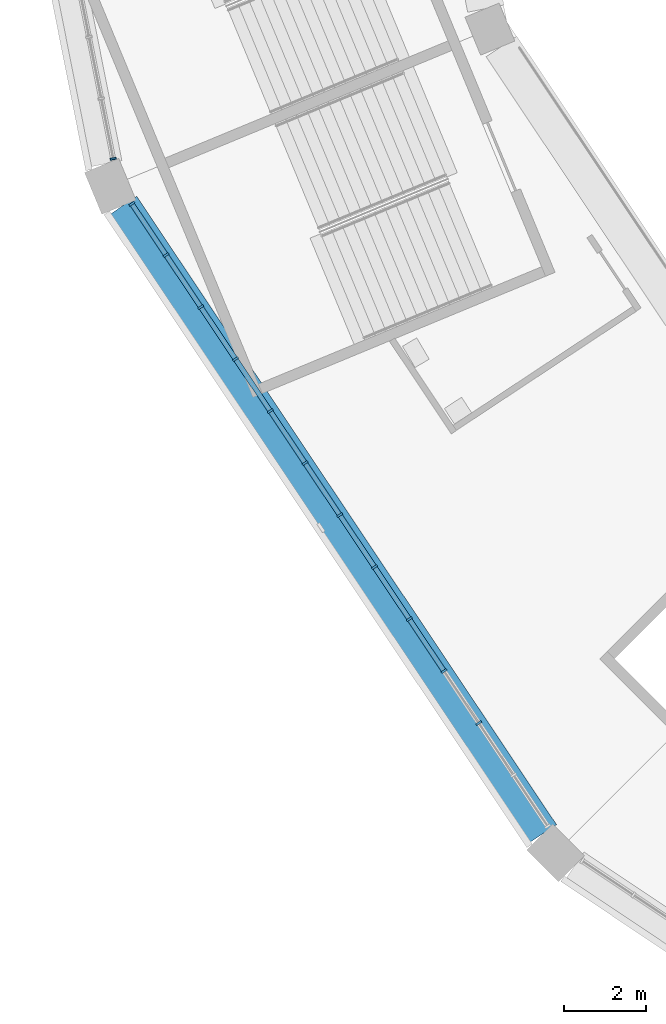
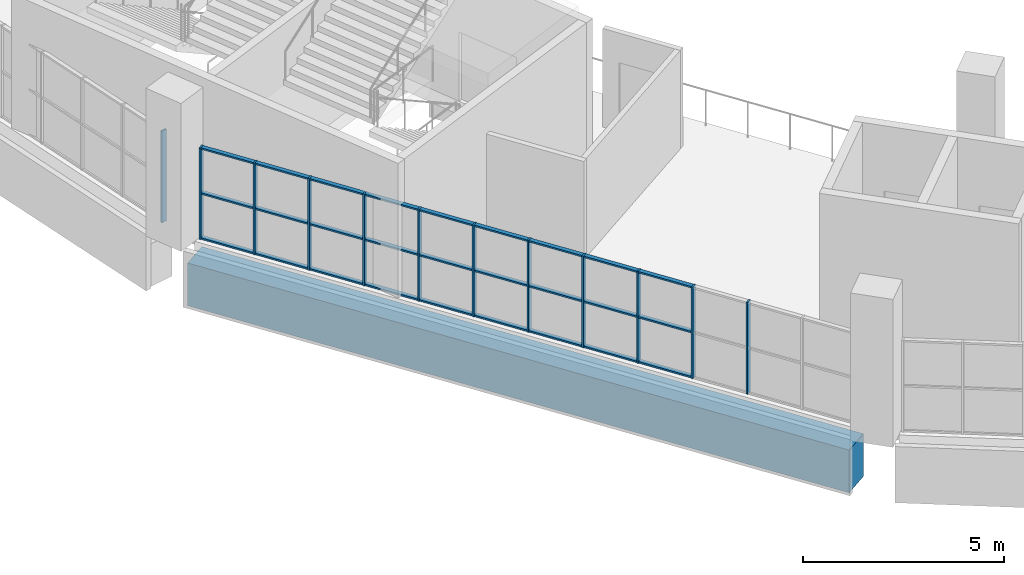
# One storey, part 3 of 177: 39 members, 1 beam, 2 elements without a shape of their own.
"""IFC4 building model written with IfcOpenShell, lengths in metres."""

from ifc_helpers import new_model, si_unit, direction, frame, origin, origin_2d, place, context, subcontext, project, spatial, rectangle, extrude, material, material_profile, profile_set, type_object, element, aggregate, save


model = new_model("IFC4")

# Units and contexts
model_context = context("Model", 3, precision=1e-05, world=origin(), true_north=direction((0.0, 1.0)))
body_context = subcontext(model_context, "Body", "Model", "MODEL_VIEW")
ifc_project = project(units=[si_unit("LENGTHUNIT", "METRE"), si_unit("AREAUNIT", "SQUARE_METRE"), si_unit("VOLUMEUNIT", "CUBIC_METRE"), si_unit("PLANEANGLEUNIT", "RADIAN"), si_unit("MASSUNIT", "GRAM", prefix="KILO")], contexts=[model_context])

# Site, building, storey
site_placement = place(None, origin())
site = spatial("IfcSite", under=ifc_project, at=site_placement, CompositionType="ELEMENT")
building_placement = place(site_placement, origin())
building = spatial("IfcBuilding", under=site, at=building_placement, Name="Ogive Plaza Stadium", CompositionType="ELEMENT")
storey_placement = place(building_placement, frame((0.0, 0.0, 18.0)))
storey = spatial("IfcBuildingStorey", under=building, at=storey_placement, Name="L04", CompositionType="ELEMENT", Elevation=18.0)

# Curtain wall, members
ifc_material_1 = material(Name="Bronze-anodised aluminium with laminated glass", Category="aluminium")
curtain_wall_type = type_object("IfcCurtainWallType", Name="Lancet curtain wall", PredefinedType="NOTDEFINED", material=ifc_material_1)
curtain_wall_1_placement = place(storey_placement, origin())
curtain_wall_1 = element("IfcCurtainWall", 1, at=curtain_wall_1_placement, inside=storey, type_object=curtain_wall_type, Name="CURTAIN WALL B19 L04", PredefinedType="NOTDEFINED")
ifc_material_2 = material(Name="Bronze-anodised aluminium", Category="aluminium")
ifc_material_profile_1 = material_profile(ifc_material_2, rectangle(XDim=0.14990234375, YDim=0.050048828125, at=origin_2d()), Name="AL 150x50")
ifc_profile_set_1 = profile_set([ifc_material_profile_1], Name="Bronze-anodised aluminium")
member_type_1 = type_object("IfcMemberType", Name="Curtain wall mullion 50x150", PredefinedType="MULLION", material=ifc_profile_set_1)
member_1_placement = place(storey_placement, frame((-71.225341796875, -84.69677734375, 0.0), z_axis=(0.0, 0.0, 1.0), x_axis=(-0.831469612303, -0.55557023302, 0.0)))
member_1 = element("IfcMember", 2, at=member_1_placement, type_object=member_type_1, Name="CW-B19-L04 mullion 3", PredefinedType="MULLION", context=body_context, shape_type="SweptSolid", body=[
    extrude(rectangle(XDim=0.14990234375, YDim=0.050048828125, at=origin_2d()), origin(), (0.0, 0.0, 1.0), 2.7900390625),
])
member_2_placement = place(storey_placement, frame((-72.071044921875, -83.430908203125, 0.0), z_axis=(0.0, 0.0, 1.0), x_axis=(-0.831469612303, -0.55557023302, 0.0)))
member_2 = element("IfcMember", 3, at=member_2_placement, type_object=member_type_1, Name="CW-B19-L04 mullion 4", PredefinedType="MULLION", context=body_context, shape_type="SweptSolid", body=[
    extrude(rectangle(XDim=0.14990234375, YDim=0.050048828125, at=origin_2d()), origin(), (0.0, 0.0, 1.0), 2.7900390625),
])
member_3_placement = place(storey_placement, frame((-72.916748046875, -82.165283203125, 0.0), z_axis=(0.0, 0.0, 1.0), x_axis=(-0.831469612303, -0.55557023302, 0.0)))
member_3 = element("IfcMember", 4, at=member_3_placement, type_object=member_type_1, Name="CW-B19-L04 mullion 5", PredefinedType="MULLION", context=body_context, shape_type="SweptSolid", body=[
    extrude(rectangle(XDim=0.14990234375, YDim=0.050048828125, at=origin_2d()), origin(), (0.0, 0.0, 1.0), 2.7900390625),
])
member_4_placement = place(storey_placement, frame((-73.7626953125, -80.8994140625, 0.0), z_axis=(0.0, 0.0, 1.0), x_axis=(-0.831469612303, -0.55557023302, 0.0)))
member_4 = element("IfcMember", 5, at=member_4_placement, type_object=member_type_1, Name="CW-B19-L04 mullion 6", PredefinedType="MULLION", context=body_context, shape_type="SweptSolid", body=[
    extrude(rectangle(XDim=0.14990234375, YDim=0.050048828125, at=origin_2d()), origin(), (0.0, 0.0, 1.0), 2.7900390625),
])
member_5_placement = place(storey_placement, frame((-74.6083984375, -79.633544921875, 0.0), z_axis=(0.0, 0.0, 1.0), x_axis=(-0.831469612303, -0.55557023302, 0.0)))
member_5 = element("IfcMember", 6, at=member_5_placement, type_object=member_type_1, Name="CW-B19-L04 mullion 7", PredefinedType="MULLION", context=body_context, shape_type="SweptSolid", body=[
    extrude(rectangle(XDim=0.14990234375, YDim=0.050048828125, at=origin_2d()), origin(), (0.0, 0.0, 1.0), 2.7900390625),
])
member_6_placement = place(storey_placement, frame((-75.4541015625, -78.367919921875, 0.0), z_axis=(0.0, 0.0, 1.0), x_axis=(-0.831469612303, -0.55557023302, 0.0)))
member_6 = element("IfcMember", 7, at=member_6_placement, type_object=member_type_1, Name="CW-B19-L04 mullion 8", PredefinedType="MULLION", context=body_context, shape_type="SweptSolid", body=[
    extrude(rectangle(XDim=0.14990234375, YDim=0.050048828125, at=origin_2d()), origin(), (0.0, 0.0, 1.0), 2.7900390625),
])
member_7_placement = place(storey_placement, frame((-76.2998046875, -77.10205078125, 0.0), z_axis=(0.0, 0.0, 1.0), x_axis=(-0.831469612303, -0.55557023302, 0.0)))
member_7 = element("IfcMember", 8, at=member_7_placement, type_object=member_type_1, Name="CW-B19-L04 mullion 9", PredefinedType="MULLION", context=body_context, shape_type="SweptSolid", body=[
    extrude(rectangle(XDim=0.14990234375, YDim=0.050048828125, at=origin_2d()), origin(), (0.0, 0.0, 1.0), 2.7900390625),
])
member_8_placement = place(storey_placement, frame((-77.145751953125, -75.836181640625, 0.0), z_axis=(0.0, 0.0, 1.0), x_axis=(-0.831469612303, -0.55557023302, 0.0)))
member_8 = element("IfcMember", 9, at=member_8_placement, type_object=member_type_1, Name="CW-B19-L04 mullion 10", PredefinedType="MULLION", context=body_context, shape_type="SweptSolid", body=[
    extrude(rectangle(XDim=0.14990234375, YDim=0.050048828125, at=origin_2d()), origin(), (0.0, 0.0, 1.0), 2.7900390625),
])
member_9_placement = place(storey_placement, frame((-77.991455078125, -74.570556640625, 0.0), z_axis=(0.0, 0.0, 1.0), x_axis=(-0.831469612303, -0.55557023302, 0.0)))
member_9 = element("IfcMember", 10, at=member_9_placement, type_object=member_type_1, Name="CW-B19-L04 mullion 11", PredefinedType="MULLION", context=body_context, shape_type="SweptSolid", body=[
    extrude(rectangle(XDim=0.14990234375, YDim=0.050048828125, at=origin_2d()), origin(), (0.0, 0.0, 1.0), 2.7900390625),
])
member_10_placement = place(storey_placement, frame((-78.837158203125, -73.3046875, 0.0), z_axis=(0.0, 0.0, 1.0), x_axis=(-0.831469612303, -0.55557023302, 0.0)))
member_10 = element("IfcMember", 11, at=member_10_placement, type_object=member_type_1, Name="CW-B19-L04 mullion 12", PredefinedType="MULLION", context=body_context, shape_type="SweptSolid", body=[
    extrude(rectangle(XDim=0.14990234375, YDim=0.050048828125, at=origin_2d()), origin(), (0.0, 0.0, 1.0), 2.7900390625),
])
member_11_placement = place(storey_placement, frame((-79.669189453125, -72.059814453125, 0.0), z_axis=(0.0, 0.0, 1.0), x_axis=(-0.831469612303, -0.55557023302, 0.0)))
member_11 = element("IfcMember", 12, at=member_11_placement, type_object=member_type_1, Name="CW-B19-L04 mullion 13", PredefinedType="MULLION", context=body_context, shape_type="SweptSolid", body=[
    extrude(rectangle(XDim=0.14990234375, YDim=0.050048828125, at=origin_2d()), origin(), (0.0, 0.0, 1.0), 2.7900390625),
])

# Curtain wall, member
curtain_wall_2_placement = place(storey_placement, origin())
curtain_wall_2 = element("IfcCurtainWall", 13, at=curtain_wall_2_placement, inside=storey, type_object=curtain_wall_type, Name="CURTAIN WALL B20 L04", PredefinedType="NOTDEFINED")
member_12_placement = place(storey_placement, frame((-80.123779296875, -70.962158203125, 0.0), z_axis=(0.0, 0.0, 1.0), x_axis=(-0.9807852804, -0.195090322033, 0.0)))
member_12 = element("IfcMember", 14, at=member_12_placement, type_object=member_type_1, Name="CW-B20-L04 mullion 1", PredefinedType="MULLION", context=body_context, shape_type="SweptSolid", body=[
    extrude(rectangle(XDim=0.14990234375, YDim=0.050048828125, at=origin_2d()), origin(), (0.0, 0.0, 1.0), 2.7900390625),
])
aggregate(curtain_wall_2, [member_12])

# Member
ifc_material_3 = material(Name="Bronze-anodised aluminium", Category="aluminium")
ifc_material_profile_2 = material_profile(ifc_material_3, rectangle(XDim=0.1201171875, YDim=0.050048828125, at=origin_2d()), Name="AL 120x50")
ifc_profile_set_2 = profile_set([ifc_material_profile_2], Name="Bronze-anodised aluminium")
member_type_2 = type_object("IfcMemberType", Name="Curtain wall transom 50x120", PredefinedType="USERDEFINED", material=ifc_profile_set_2)
member_13_placement = place(storey_placement, frame((-72.0849609375, -83.41015625, 0.02490234375), z_axis=(-0.555541835587, 0.831488586159, 0.0), x_axis=(-0.831488586159, -0.555541835587, 0.0)))
member_13 = element("IfcMember", 15, at=member_13_placement, type_object=member_type_2, Name="CW-B19-L04 transom 4.1", ObjectType="TRANSOM", PredefinedType="USERDEFINED", context=body_context, shape_type="SweptSolid", body=[
    extrude(rectangle(XDim=0.1201171875, YDim=0.050048828125, at=origin_2d()), origin(), (0.0, 0.0, 1.0), 1.47216796875),
])

member_14_placement = place(storey_placement, frame((-72.0849609375, -83.41015625, 1.39501953125), z_axis=(-0.555541835587, 0.831488586159, 0.0), x_axis=(-0.831488586159, -0.555541835587, 0.0)))
member_14 = element("IfcMember", 16, at=member_14_placement, type_object=member_type_2, Name="CW-B19-L04 transom 4.2", ObjectType="TRANSOM", PredefinedType="USERDEFINED", context=body_context, shape_type="SweptSolid", body=[
    extrude(rectangle(XDim=0.1201171875, YDim=0.050048828125, at=origin_2d()), origin(), (0.0, 0.0, 1.0), 1.47216796875),
])

member_15_placement = place(storey_placement, frame((-72.0849609375, -83.41015625, 2.764892578125), z_axis=(-0.555541835587, 0.831488586159, 0.0), x_axis=(-0.831488586159, -0.555541835587, 0.0)))
member_15 = element("IfcMember", 17, at=member_15_placement, type_object=member_type_2, Name="CW-B19-L04 transom 4.3", ObjectType="TRANSOM", PredefinedType="USERDEFINED", context=body_context, shape_type="SweptSolid", body=[
    extrude(rectangle(XDim=0.1201171875, YDim=0.050048828125, at=origin_2d()), origin(), (0.0, 0.0, 1.0), 1.47216796875),
])

member_16_placement = place(storey_placement, frame((-72.9306640625, -82.14453125, 0.02490234375), z_axis=(-0.555579876157, 0.831463168883, 0.0), x_axis=(-0.831463168883, -0.555579876157, 0.0)))
member_16 = element("IfcMember", 18, at=member_16_placement, type_object=member_type_2, Name="CW-B19-L04 transom 5.1", ObjectType="TRANSOM", PredefinedType="USERDEFINED", context=body_context, shape_type="SweptSolid", body=[
    extrude(rectangle(XDim=0.1201171875, YDim=0.050048828125, at=origin_2d()), origin(), (0.0, 0.0, 1.0), 1.47265625),
])

member_17_placement = place(storey_placement, frame((-72.9306640625, -82.14453125, 1.39501953125), z_axis=(-0.555579876157, 0.831463168883, 0.0), x_axis=(-0.831463168883, -0.555579876157, 0.0)))
member_17 = element("IfcMember", 19, at=member_17_placement, type_object=member_type_2, Name="CW-B19-L04 transom 5.2", ObjectType="TRANSOM", PredefinedType="USERDEFINED", context=body_context, shape_type="SweptSolid", body=[
    extrude(rectangle(XDim=0.1201171875, YDim=0.050048828125, at=origin_2d()), origin(), (0.0, 0.0, 1.0), 1.47265625),
])

member_18_placement = place(storey_placement, frame((-72.9306640625, -82.14453125, 2.764892578125), z_axis=(-0.555579876157, 0.831463168883, 0.0), x_axis=(-0.831463168883, -0.555579876157, 0.0)))
member_18 = element("IfcMember", 20, at=member_18_placement, type_object=member_type_2, Name="CW-B19-L04 transom 5.3", ObjectType="TRANSOM", PredefinedType="USERDEFINED", context=body_context, shape_type="SweptSolid", body=[
    extrude(rectangle(XDim=0.1201171875, YDim=0.050048828125, at=origin_2d()), origin(), (0.0, 0.0, 1.0), 1.47265625),
])

member_19_placement = place(storey_placement, frame((-73.7763671875, -80.878662109375, 0.02490234375), z_axis=(-0.555656472512, 0.831411982446, 0.0), x_axis=(-0.831411982446, -0.555656472512, 0.0)))
member_19 = element("IfcMember", 21, at=member_19_placement, type_object=member_type_2, Name="CW-B19-L04 transom 6.1", ObjectType="TRANSOM", PredefinedType="USERDEFINED", context=body_context, shape_type="SweptSolid", body=[
    extrude(rectangle(XDim=0.1201171875, YDim=0.050048828125, at=origin_2d()), origin(), (0.0, 0.0, 1.0), 1.472412109375),
])

member_20_placement = place(storey_placement, frame((-73.7763671875, -80.878662109375, 1.39501953125), z_axis=(-0.555656472512, 0.831411982446, 0.0), x_axis=(-0.831411982446, -0.555656472512, 0.0)))
member_20 = element("IfcMember", 22, at=member_20_placement, type_object=member_type_2, Name="CW-B19-L04 transom 6.2", ObjectType="TRANSOM", PredefinedType="USERDEFINED", context=body_context, shape_type="SweptSolid", body=[
    extrude(rectangle(XDim=0.1201171875, YDim=0.050048828125, at=origin_2d()), origin(), (0.0, 0.0, 1.0), 1.472412109375),
])

member_21_placement = place(storey_placement, frame((-73.7763671875, -80.878662109375, 2.764892578125), z_axis=(-0.555656472512, 0.831411982446, 0.0), x_axis=(-0.831411982446, -0.555656472512, 0.0)))
member_21 = element("IfcMember", 23, at=member_21_placement, type_object=member_type_2, Name="CW-B19-L04 transom 6.3", ObjectType="TRANSOM", PredefinedType="USERDEFINED", context=body_context, shape_type="SweptSolid", body=[
    extrude(rectangle(XDim=0.1201171875, YDim=0.050048828125, at=origin_2d()), origin(), (0.0, 0.0, 1.0), 1.472412109375),
])

member_22_placement = place(storey_placement, frame((-74.622314453125, -79.61279296875, 0.02490234375), z_axis=(-0.555541835587, 0.831488586159, 0.0), x_axis=(-0.831488586159, -0.555541835587, 0.0)))
member_22 = element("IfcMember", 24, at=member_22_placement, type_object=member_type_2, Name="CW-B19-L04 transom 7.1", ObjectType="TRANSOM", PredefinedType="USERDEFINED", context=body_context, shape_type="SweptSolid", body=[
    extrude(rectangle(XDim=0.1201171875, YDim=0.050048828125, at=origin_2d()), origin(), (0.0, 0.0, 1.0), 1.47216796875),
])

member_23_placement = place(storey_placement, frame((-74.622314453125, -79.61279296875, 1.39501953125), z_axis=(-0.555541835587, 0.831488586159, 0.0), x_axis=(-0.831488586159, -0.555541835587, 0.0)))
member_23 = element("IfcMember", 25, at=member_23_placement, type_object=member_type_2, Name="CW-B19-L04 transom 7.2", ObjectType="TRANSOM", PredefinedType="USERDEFINED", context=body_context, shape_type="SweptSolid", body=[
    extrude(rectangle(XDim=0.1201171875, YDim=0.050048828125, at=origin_2d()), origin(), (0.0, 0.0, 1.0), 1.47216796875),
])

member_24_placement = place(storey_placement, frame((-74.622314453125, -79.61279296875, 2.764892578125), z_axis=(-0.555541835587, 0.831488586159, 0.0), x_axis=(-0.831488586159, -0.555541835587, 0.0)))
member_24 = element("IfcMember", 26, at=member_24_placement, type_object=member_type_2, Name="CW-B19-L04 transom 7.3", ObjectType="TRANSOM", PredefinedType="USERDEFINED", context=body_context, shape_type="SweptSolid", body=[
    extrude(rectangle(XDim=0.1201171875, YDim=0.050048828125, at=origin_2d()), origin(), (0.0, 0.0, 1.0), 1.47216796875),
])

member_25_placement = place(storey_placement, frame((-75.468017578125, -78.34716796875, 0.02490234375), z_axis=(-0.555579876157, 0.831463168883, 0.0), x_axis=(-0.831463168883, -0.555579876157, 0.0)))
member_25 = element("IfcMember", 27, at=member_25_placement, type_object=member_type_2, Name="CW-B19-L04 transom 8.1", ObjectType="TRANSOM", PredefinedType="USERDEFINED", context=body_context, shape_type="SweptSolid", body=[
    extrude(rectangle(XDim=0.1201171875, YDim=0.050048828125, at=origin_2d()), origin(), (0.0, 0.0, 1.0), 1.47265625),
])

member_26_placement = place(storey_placement, frame((-75.468017578125, -78.34716796875, 1.39501953125), z_axis=(-0.555579876157, 0.831463168883, 0.0), x_axis=(-0.831463168883, -0.555579876157, 0.0)))
member_26 = element("IfcMember", 28, at=member_26_placement, type_object=member_type_2, Name="CW-B19-L04 transom 8.2", ObjectType="TRANSOM", PredefinedType="USERDEFINED", context=body_context, shape_type="SweptSolid", body=[
    extrude(rectangle(XDim=0.1201171875, YDim=0.050048828125, at=origin_2d()), origin(), (0.0, 0.0, 1.0), 1.47265625),
])

member_27_placement = place(storey_placement, frame((-75.468017578125, -78.34716796875, 2.764892578125), z_axis=(-0.555579876157, 0.831463168883, 0.0), x_axis=(-0.831463168883, -0.555579876157, 0.0)))
member_27 = element("IfcMember", 29, at=member_27_placement, type_object=member_type_2, Name="CW-B19-L04 transom 8.3", ObjectType="TRANSOM", PredefinedType="USERDEFINED", context=body_context, shape_type="SweptSolid", body=[
    extrude(rectangle(XDim=0.1201171875, YDim=0.050048828125, at=origin_2d()), origin(), (0.0, 0.0, 1.0), 1.47265625),
])

member_28_placement = place(storey_placement, frame((-76.313720703125, -77.081298828125, 0.02490234375), z_axis=(-0.555656472512, 0.831411982446, 0.0), x_axis=(-0.831411982446, -0.555656472512, 0.0)))
member_28 = element("IfcMember", 30, at=member_28_placement, type_object=member_type_2, Name="CW-B19-L04 transom 9.1", ObjectType="TRANSOM", PredefinedType="USERDEFINED", context=body_context, shape_type="SweptSolid", body=[
    extrude(rectangle(XDim=0.1201171875, YDim=0.050048828125, at=origin_2d()), origin(), (0.0, 0.0, 1.0), 1.472412109375),
])

member_29_placement = place(storey_placement, frame((-76.313720703125, -77.081298828125, 1.39501953125), z_axis=(-0.555656472512, 0.831411982446, 0.0), x_axis=(-0.831411982446, -0.555656472512, 0.0)))
member_29 = element("IfcMember", 31, at=member_29_placement, type_object=member_type_2, Name="CW-B19-L04 transom 9.2", ObjectType="TRANSOM", PredefinedType="USERDEFINED", context=body_context, shape_type="SweptSolid", body=[
    extrude(rectangle(XDim=0.1201171875, YDim=0.050048828125, at=origin_2d()), origin(), (0.0, 0.0, 1.0), 1.472412109375),
])

member_30_placement = place(storey_placement, frame((-76.313720703125, -77.081298828125, 2.764892578125), z_axis=(-0.555656472512, 0.831411982446, 0.0), x_axis=(-0.831411982446, -0.555656472512, 0.0)))
member_30 = element("IfcMember", 32, at=member_30_placement, type_object=member_type_2, Name="CW-B19-L04 transom 9.3", ObjectType="TRANSOM", PredefinedType="USERDEFINED", context=body_context, shape_type="SweptSolid", body=[
    extrude(rectangle(XDim=0.1201171875, YDim=0.050048828125, at=origin_2d()), origin(), (0.0, 0.0, 1.0), 1.472412109375),
])

member_31_placement = place(storey_placement, frame((-77.15966796875, -75.8154296875, 0.02490234375), z_axis=(-0.555541835587, 0.831488586159, 0.0), x_axis=(-0.831488586159, -0.555541835587, 0.0)))
member_31 = element("IfcMember", 33, at=member_31_placement, type_object=member_type_2, Name="CW-B19-L04 transom 10.1", ObjectType="TRANSOM", PredefinedType="USERDEFINED", context=body_context, shape_type="SweptSolid", body=[
    extrude(rectangle(XDim=0.1201171875, YDim=0.050048828125, at=origin_2d()), origin(), (0.0, 0.0, 1.0), 1.47216796875),
])

member_32_placement = place(storey_placement, frame((-77.15966796875, -75.8154296875, 1.39501953125), z_axis=(-0.555541835587, 0.831488586159, 0.0), x_axis=(-0.831488586159, -0.555541835587, 0.0)))
member_32 = element("IfcMember", 34, at=member_32_placement, type_object=member_type_2, Name="CW-B19-L04 transom 10.2", ObjectType="TRANSOM", PredefinedType="USERDEFINED", context=body_context, shape_type="SweptSolid", body=[
    extrude(rectangle(XDim=0.1201171875, YDim=0.050048828125, at=origin_2d()), origin(), (0.0, 0.0, 1.0), 1.47216796875),
])

member_33_placement = place(storey_placement, frame((-77.15966796875, -75.8154296875, 2.764892578125), z_axis=(-0.555541835587, 0.831488586159, 0.0), x_axis=(-0.831488586159, -0.555541835587, 0.0)))
member_33 = element("IfcMember", 35, at=member_33_placement, type_object=member_type_2, Name="CW-B19-L04 transom 10.3", ObjectType="TRANSOM", PredefinedType="USERDEFINED", context=body_context, shape_type="SweptSolid", body=[
    extrude(rectangle(XDim=0.1201171875, YDim=0.050048828125, at=origin_2d()), origin(), (0.0, 0.0, 1.0), 1.47216796875),
])

member_34_placement = place(storey_placement, frame((-78.00537109375, -74.5498046875, 0.02490234375), z_axis=(-0.555465240925, 0.83153975619, 0.0), x_axis=(-0.83153975619, -0.555465240925, 0.0)))
member_34 = element("IfcMember", 36, at=member_34_placement, type_object=member_type_2, Name="CW-B19-L04 transom 11.1", ObjectType="TRANSOM", PredefinedType="USERDEFINED", context=body_context, shape_type="SweptSolid", body=[
    extrude(rectangle(XDim=0.1201171875, YDim=0.050048828125, at=origin_2d()), origin(), (0.0, 0.0, 1.0), 1.472412109375),
])

member_35_placement = place(storey_placement, frame((-78.00537109375, -74.5498046875, 1.39501953125), z_axis=(-0.555465240925, 0.83153975619, 0.0), x_axis=(-0.83153975619, -0.555465240925, 0.0)))
member_35 = element("IfcMember", 37, at=member_35_placement, type_object=member_type_2, Name="CW-B19-L04 transom 11.2", ObjectType="TRANSOM", PredefinedType="USERDEFINED", context=body_context, shape_type="SweptSolid", body=[
    extrude(rectangle(XDim=0.1201171875, YDim=0.050048828125, at=origin_2d()), origin(), (0.0, 0.0, 1.0), 1.472412109375),
])

member_36_placement = place(storey_placement, frame((-78.00537109375, -74.5498046875, 2.764892578125), z_axis=(-0.555465240925, 0.83153975619, 0.0), x_axis=(-0.83153975619, -0.555465240925, 0.0)))
member_36 = element("IfcMember", 38, at=member_36_placement, type_object=member_type_2, Name="CW-B19-L04 transom 11.3", ObjectType="TRANSOM", PredefinedType="USERDEFINED", context=body_context, shape_type="SweptSolid", body=[
    extrude(rectangle(XDim=0.1201171875, YDim=0.050048828125, at=origin_2d()), origin(), (0.0, 0.0, 1.0), 1.472412109375),
])

member_37_placement = place(storey_placement, frame((-78.85107421875, -73.283935546875, 0.02490234375), z_axis=(-0.555634077892, 0.831426948977, 0.0), x_axis=(-0.831426948977, -0.555634077892, 0.0)))
member_37 = element("IfcMember", 39, at=member_37_placement, type_object=member_type_2, Name="CW-B19-L04 transom 12.1", ObjectType="TRANSOM", PredefinedType="USERDEFINED", context=body_context, shape_type="SweptSolid", body=[
    extrude(rectangle(XDim=0.1201171875, YDim=0.050048828125, at=origin_2d()), origin(), (0.0, 0.0, 1.0), 1.447265625),
])

member_38_placement = place(storey_placement, frame((-78.85107421875, -73.283935546875, 1.39501953125), z_axis=(-0.555634077892, 0.831426948977, 0.0), x_axis=(-0.831426948977, -0.555634077892, 0.0)))
member_38 = element("IfcMember", 40, at=member_38_placement, type_object=member_type_2, Name="CW-B19-L04 transom 12.2", ObjectType="TRANSOM", PredefinedType="USERDEFINED", context=body_context, shape_type="SweptSolid", body=[
    extrude(rectangle(XDim=0.1201171875, YDim=0.050048828125, at=origin_2d()), origin(), (0.0, 0.0, 1.0), 1.447265625),
])

member_39_placement = place(storey_placement, frame((-78.85107421875, -73.283935546875, 2.764892578125), z_axis=(-0.555634077892, 0.831426948977, 0.0), x_axis=(-0.831426948977, -0.555634077892, 0.0)))
member_39 = element("IfcMember", 41, at=member_39_placement, type_object=member_type_2, Name="CW-B19-L04 transom 12.3", ObjectType="TRANSOM", PredefinedType="USERDEFINED", context=body_context, shape_type="SweptSolid", body=[
    extrude(rectangle(XDim=0.1201171875, YDim=0.050048828125, at=origin_2d()), origin(), (0.0, 0.0, 1.0), 1.447265625),
])

aggregate(curtain_wall_1, [member_1, member_2, member_3, member_4, member_5, member_6, member_7, member_8, member_9, member_10, member_11, member_13, member_14, member_15, member_16, member_17, member_18, member_19, member_20, member_21, member_22, member_23, member_24, member_25, member_26, member_27, member_28, member_29, member_30, member_31, member_32, member_33, member_34, member_35, member_36, member_37, member_38, member_39])

# Beam
ifc_material_4 = material(Name="Concrete C40/50", Category="concrete")
ifc_material_profile_3 = material_profile(ifc_material_4, rectangle(XDim=0.800048828125, YDim=1.300048828125, at=origin_2d()), Name="RC 800x1300")
ifc_profile_set_3 = profile_set([ifc_material_profile_3], Name="Concrete C40/50")
beam_type = type_object("IfcBeamType", Name="RC spandrel beam 800x1300", PredefinedType="SPANDREL", material=ifc_profile_set_3)
beam_placement = place(storey_placement, frame((-69.6669921875, -87.38916015625, -1.06005859375), z_axis=(-0.555557833169, 0.831477897484, 0.0), x_axis=(-0.831477897484, -0.555557833169, 0.0)))
element("IfcBeam", 42, at=beam_placement, inside=storey, type_object=beam_type, Name="Ring beam F5 L04 B19", PredefinedType="SPANDREL", context=body_context, shape_type="SweptSolid", body=[
    extrude(rectangle(XDim=0.800048828125, YDim=1.300048828125, at=origin_2d()), origin(), (0.0, 0.0, 1.0), 18.387451171875),
])

save(model, "model.ifc")
